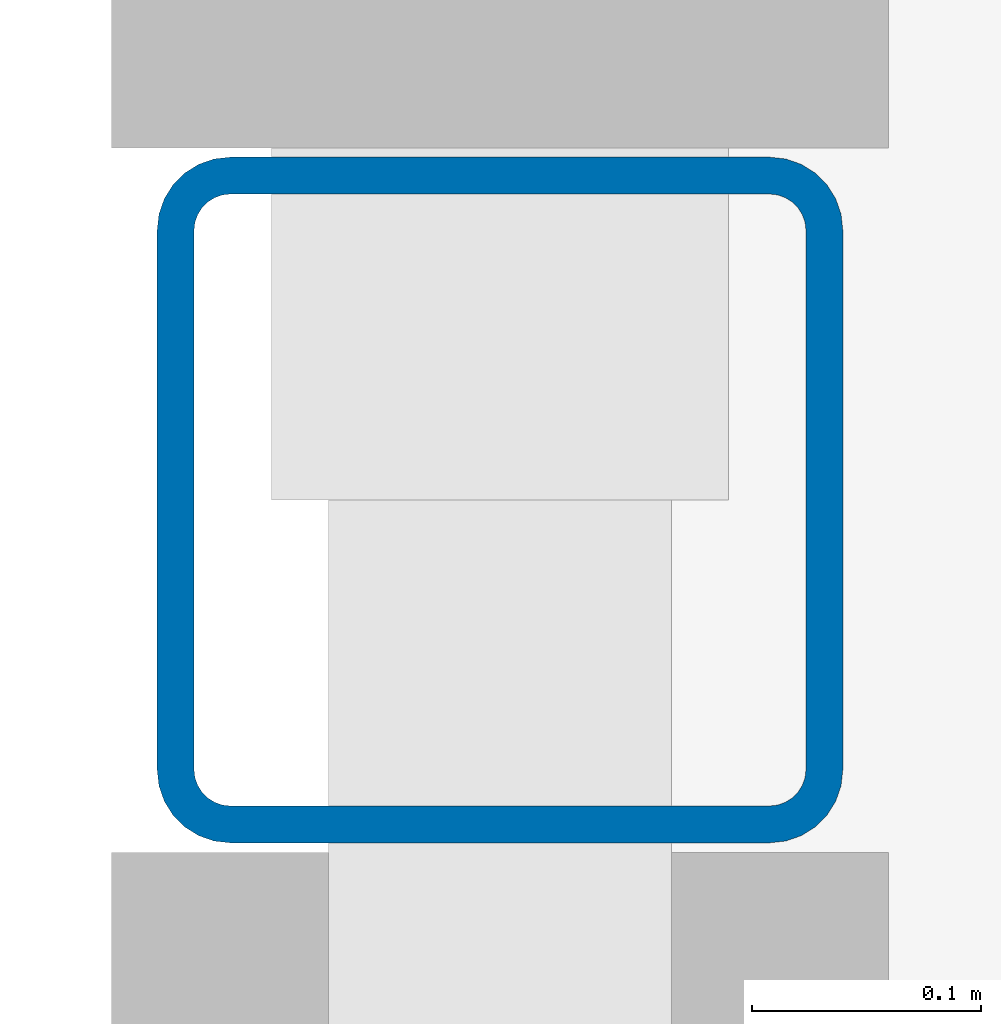
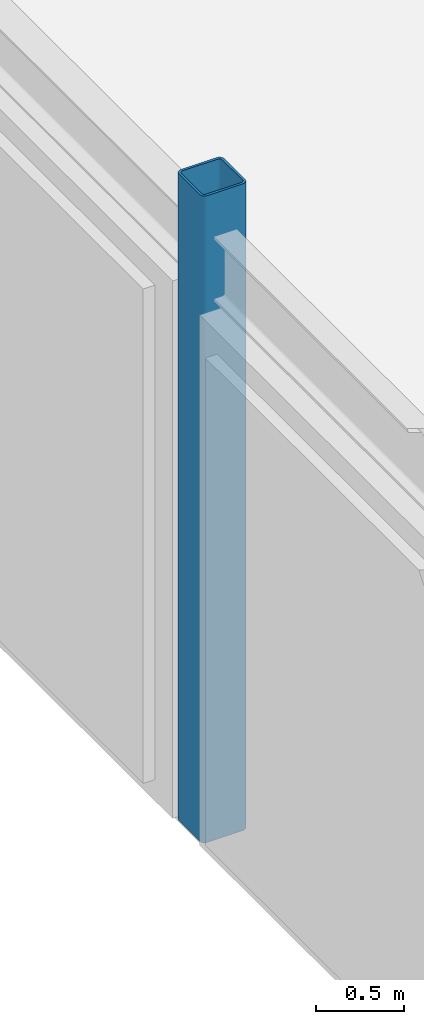
# One storey, part 11 of 96: 1 column.
"""IFC4 building model written with IfcOpenShell, lengths in metres."""

from ifc_helpers import new_model, si_unit, direction, frame, origin, origin_2d, place, context, subcontext, project, spatial, hollow_rectangle, extrude, material, material_profile, profile_set, type_object, element, save


model = new_model("IFC4")

# Units and contexts
model_context = context("Model", 3, precision=1e-05, world=origin(), true_north=direction((0.0, 1.0)))
body_context = subcontext(model_context, "Body", "Model", "MODEL_VIEW")
ifc_project = project(units=[si_unit("LENGTHUNIT", "METRE"), si_unit("AREAUNIT", "SQUARE_METRE"), si_unit("VOLUMEUNIT", "CUBIC_METRE"), si_unit("PLANEANGLEUNIT", "RADIAN"), si_unit("MASSUNIT", "GRAM", prefix="KILO")], contexts=[model_context])

# Site, building, storey
site_placement = place(None, origin())
site = spatial("IfcSite", under=ifc_project, at=site_placement, CompositionType="ELEMENT")
building_placement = place(site_placement, origin())
building = spatial("IfcBuilding", under=site, at=building_placement, Name="Varnakota Square Police Headquarters", CompositionType="ELEMENT")
storey_placement = place(building_placement, frame((0.0, 0.0, 4.800048828125)))
storey = spatial("IfcBuildingStorey", under=building, at=storey_placement, Name="L01", CompositionType="ELEMENT", Elevation=4.800048828125)

# Column
ifc_material = material(Name="Steel IS 2062 Grade 350", Category="steel")
ifc_material_profile = material_profile(ifc_material, hollow_rectangle(XDim=0.300048828125, YDim=0.300048828125, WallThickness=0.01611328125, InnerFilletRadius=0.01611328125, OuterFilletRadius=0.031982421875, at=origin_2d()), Name="SHS 300x300x16")
ifc_profile_set = profile_set([ifc_material_profile], Name="Steel IS 2062 Grade 350")
column_type = type_object("IfcColumnType", Name="COL-SHS300", PredefinedType="COLUMN", material=ifc_profile_set)
column_placement = place(storey_placement, frame((6.0, 93.0, 0.0), z_axis=(0.0, 0.0, 1.0), x_axis=(1.0, 0.0, 0.0)))
element("IfcColumn", 1, at=column_placement, inside=storey, type_object=column_type, Name="Column X0060-Y0930 L01", PredefinedType="COLUMN", context=body_context, shape_type="SweptSolid", body=[
    extrude(hollow_rectangle(XDim=0.300048828125, YDim=0.300048828125, WallThickness=0.01611328125, InnerFilletRadius=0.01611328125, OuterFilletRadius=0.031982421875, at=origin_2d()), origin(), (0.0, 0.0, 1.0), 4.5),
])

save(model, "model.ifc")
